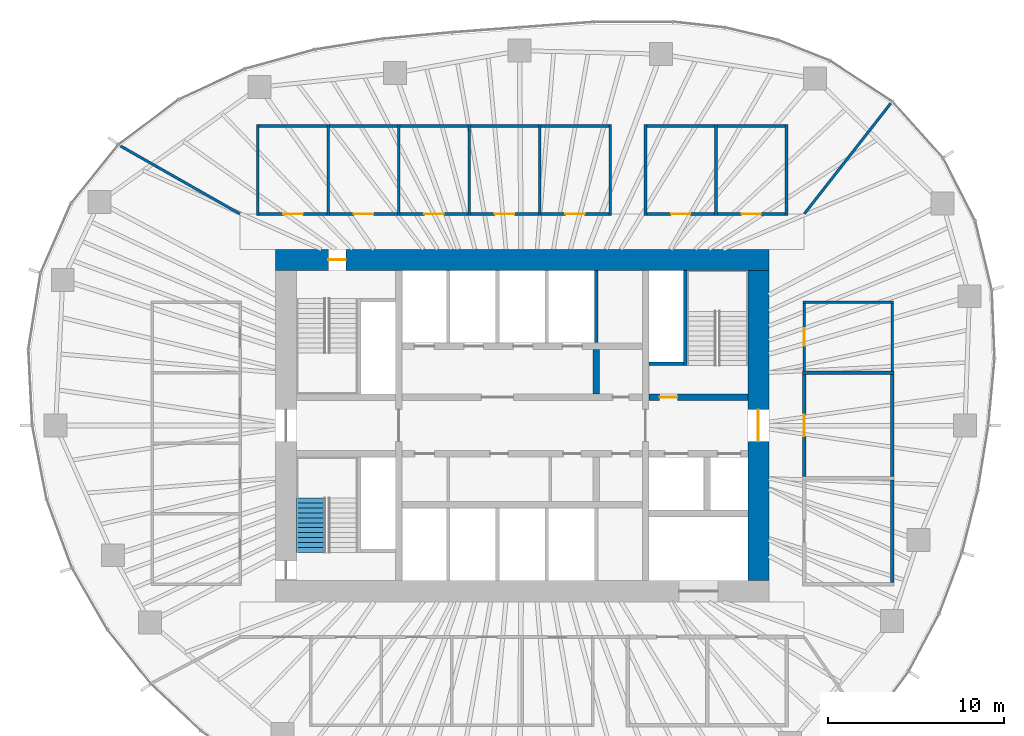
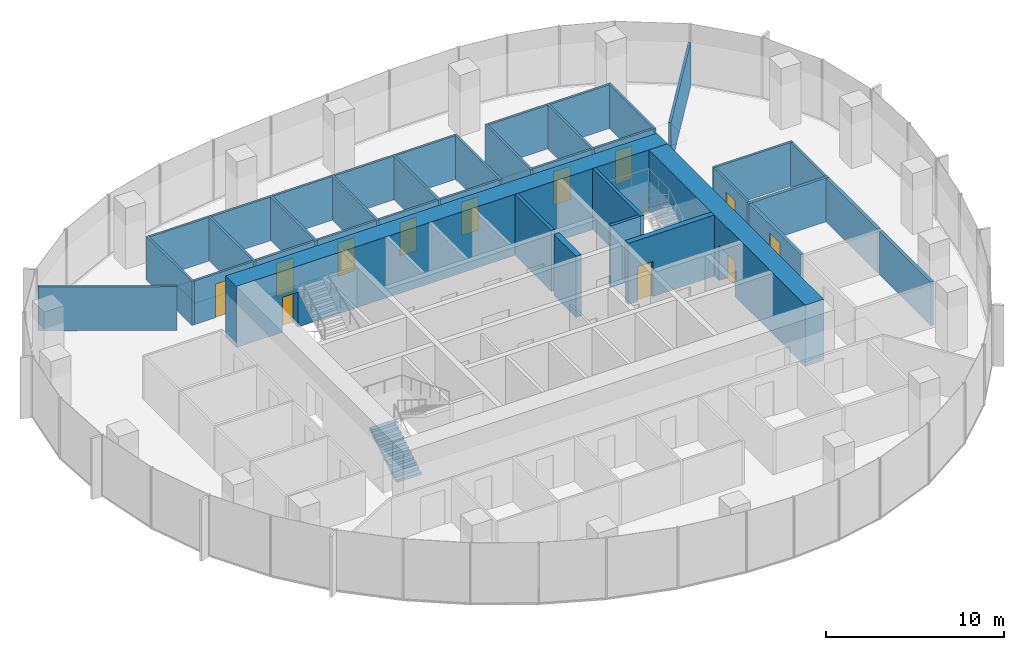
# One storey, part 10 of 12: 39 walls, 12 doors, 1 stair flight, 12 openings, 1 element without a shape of its own.
"""IFC4 building model written with IfcOpenShell, lengths in metres."""

from ifc_helpers import new_model, si_unit, direction, frame, frame_2d, origin, place, context, subcontext, project, spatial, polyline, rectangle, outline, extrude, material, layer, layer_set, type_object, element, fill, aggregate, save


model = new_model("IFC4")

# Units and contexts
model_context = context("Model", 3, precision=1e-05, world=origin(), true_north=direction((0.0, 1.0)))
body_context = subcontext(model_context, "Body", "Model", "MODEL_VIEW")
ifc_project = project(units=[si_unit("LENGTHUNIT", "METRE"), si_unit("AREAUNIT", "SQUARE_METRE"), si_unit("VOLUMEUNIT", "CUBIC_METRE"), si_unit("PLANEANGLEUNIT", "RADIAN"), si_unit("MASSUNIT", "GRAM", prefix="KILO")], contexts=[model_context])

# Site, building, storey
site_placement = place(None, origin())
site = spatial("IfcSite", under=ifc_project, at=site_placement, CompositionType="ELEMENT")
building_placement = place(site_placement, origin())
building = spatial("IfcBuilding", under=site, at=building_placement, Name="Ghaith Harvest Tower", CompositionType="ELEMENT")
storey_placement = place(building_placement, frame((0.0, 0.0, 203.199951171875)))
storey = spatial("IfcBuildingStorey", under=building, at=storey_placement, Name="L44", CompositionType="ELEMENT", Elevation=203.199951171875)

# Walls
ifc_material_1 = material(Name="Twin-stud gypsum board, acoustic", Category="gypsum")
ifc_layer_1 = layer(ifc_material_1, 0.199951171875)
ifc_layer_set_1 = layer_set([ifc_layer_1], Name="ACOUSTIC PARTITION 200")
wall_type_1 = type_object("IfcWallType", Name="ACOUSTIC PARTITION 200", PredefinedType="PARTITIONING", material=ifc_layer_set_1)
wall_1_placement = place(storey_placement, frame((15.89990234375, 3.0, 0.0), z_axis=(0.0, 0.0, 1.0), x_axis=(1.0, 0.0, 0.0)))
element("IfcWall", 1, at=wall_1_placement, inside=storey, type_object=wall_type_1, Name="Partition L44 row E3 cross wall 3", PredefinedType="PARTITIONING", context=body_context, shape_type="SweptSolid", body=[
    extrude(rectangle(XDim=5.2001953125, YDim=0.199951171875, at=frame_2d((2.60009765625, 0.0))), origin(), (0.0, 0.0, 1.0), 3.0),
])
wall_2_placement = place(storey_placement, frame((21.0, -8.89990234375, 0.0), z_axis=(0.0, 0.0, 1.0), x_axis=(0.0, 1.0, 0.0)))
element("IfcWall", 2, at=wall_2_placement, inside=storey, type_object=wall_type_1, Name="Partition L44-08", PredefinedType="PARTITIONING", context=body_context, shape_type="SweptSolid", body=[
    extrude(rectangle(XDim=5.7998046875, YDim=0.199951171875, at=frame_2d((2.89990234375, 0.0))), origin(), (0.0, 0.0, 1.0), 3.0),
])

# Wall, opening, door
wall_3_placement = place(storey_placement, frame((16.0, -2.89990234375, 0.0), z_axis=(0.0, 0.0, 1.0), x_axis=(0.0, 1.0, 0.0)))
wall_3 = element("IfcWall", 3, at=wall_3_placement, inside=storey, type_object=wall_type_1, Name="Partition L44-09", PredefinedType="PARTITIONING", context=body_context, shape_type="SweptSolid", body=[
    extrude(rectangle(XDim=5.7998046875, YDim=0.199951171875, at=frame_2d((2.89990234375, 0.0))), origin(), (0.0, 0.0, 1.0), 3.0),
])
opening_1_placement = place(wall_3_placement, frame((2.300048828125, 0.0, 0.0)))
opening_1 = element("IfcOpeningElement", 4, at=opening_1_placement, cuts=wall_3, Name="Opening 44-029", PredefinedType="OPENING", context=body_context, shape_type="SweptSolid", body=[
    extrude(rectangle(XDim=1.199951171875, YDim=2.39990234375, at=frame_2d((0.60009765625, 1.199951171875))), frame((0.0, 0.10986328125, 0.0), z_axis=(0.0, -1.0, 0.0), x_axis=(1.0, 0.0, 0.0)), (0.0, 0.0, 1.0), 0.219970703125),
])
ifc_material_2 = material(Name="Timber door", Category="wood")
door_type_1 = type_object("IfcDoorType", Name="D11 GLAZED 1200x2400", OperationType="SINGLE_SWING_LEFT", PredefinedType="DOOR", material=ifc_material_2)
door_1_placement = place(opening_1_placement, origin())
door_1 = element("IfcDoor", 5, at=door_1_placement, inside=storey, type_object=door_type_1, Name="Meeting room door", OperationType="SINGLE_SWING_LEFT", OverallHeight=2.39990234375, OverallWidth=1.199951171875, PredefinedType="DOOR", context=body_context, shape_type="SweptSolid", body=[
    extrude(rectangle(XDim=1.199951171875, YDim=2.39990234375, at=frame_2d((0.60009765625, 1.199951171875))), frame((0.0, 0.02490234375, 0.0), z_axis=(0.0, -1.0, 0.0), x_axis=(1.0, 0.0, 0.0)), (0.0, 0.0, 1.0), 0.050048828125),
])
fill(opening_1, door_1)

# Wall
wall_4_placement = place(storey_placement, frame((21.0, -2.89990234375, 0.0), z_axis=(0.0, 0.0, 1.0), x_axis=(0.0, 1.0, 0.0)))
element("IfcWall", 6, at=wall_4_placement, inside=storey, type_object=wall_type_1, Name="Partition L44-09", PredefinedType="PARTITIONING", context=body_context, shape_type="SweptSolid", body=[
    extrude(rectangle(XDim=5.7998046875, YDim=0.199951171875, at=frame_2d((2.89990234375, 0.0))), origin(), (0.0, 0.0, 1.0), 3.0),
])

# Wall, opening, door
ifc_material_3 = material(Name="Concrete C60/75", Category="concrete")
ifc_layer_2 = layer(ifc_material_3, 1.199951171875)
ifc_layer_set_2 = layer_set([ifc_layer_2], Name="CORE WALL CW1200 C60")
wall_type_2 = type_object("IfcWallType", Name="CORE WALL CW1200 C60", PredefinedType="SHEAR", material=ifc_layer_set_2)
wall_5_placement = place(storey_placement, frame((14.0, 9.39990234375, 0.0), z_axis=(0.0, 0.0, 1.0), x_axis=(-1.0, 0.0, 0.0)))
wall_5 = element("IfcWall", 7, at=wall_5_placement, inside=storey, type_object=wall_type_2, Name="Core wall N L44", PredefinedType="SHEAR", context=body_context, shape_type="SweptSolid", body=[
    extrude(rectangle(XDim=28.0, YDim=1.199951171875, at=frame_2d((14.0, 0.0))), origin(), (0.0, 0.0, 1.0), 4.199951171875),
])
opening_2_placement = place(wall_5_placement, frame((24.0, 0.0, 0.0)))
opening_2 = element("IfcOpeningElement", 8, at=opening_2_placement, cuts=wall_5, Name="Opening 44-005", PredefinedType="OPENING", context=body_context, shape_type="SweptSolid", body=[
    extrude(rectangle(XDim=1.0, YDim=2.39990234375, at=frame_2d((0.5, 1.199951171875))), frame((0.0, 0.60986328125, 0.0), z_axis=(0.0, -1.0, 0.0), x_axis=(1.0, 0.0, 0.0)), (0.0, 0.0, 1.0), 1.219970703125),
])
ifc_material_4 = material(Name="Steel fire door", Category="steel")
door_type_2 = type_object("IfcDoorType", Name="D3 FD90 1000x2400", OperationType="SINGLE_SWING_LEFT", PredefinedType="DOOR", material=ifc_material_4)
door_2_placement = place(opening_2_placement, origin())
door_2 = element("IfcDoor", 9, at=door_2_placement, inside=storey, type_object=door_type_2, Name="Stair ST1 door", OperationType="SINGLE_SWING_RIGHT", OverallHeight=2.39990234375, OverallWidth=1.0, PredefinedType="DOOR", context=body_context, shape_type="SweptSolid", body=[
    extrude(rectangle(XDim=1.0, YDim=2.39990234375, at=frame_2d((0.5, 1.199951171875))), frame((0.0, 0.02490234375, 0.0), z_axis=(0.0, -1.0, 0.0), x_axis=(1.0, 0.0, 0.0)), (0.0, 0.0, 1.0), 0.050048828125),
])
fill(opening_2, door_2)

wall_6_placement = place(storey_placement, frame((13.39990234375, -8.800048828125, 0.0), z_axis=(0.0, 0.0, 1.0), x_axis=(0.0, 1.0, 0.0)))
wall_6 = element("IfcWall", 10, at=wall_6_placement, inside=storey, type_object=wall_type_2, Name="Core wall E L44", PredefinedType="SHEAR", context=body_context, shape_type="SweptSolid", body=[
    extrude(rectangle(XDim=17.60009765625, YDim=1.199951171875, at=frame_2d((8.800048828125, 0.0))), origin(), (0.0, 0.0, 1.0), 4.199951171875),
])
opening_3_placement = place(wall_6_placement, frame((7.89990234375, 0.0, 0.0)))
opening_3 = element("IfcOpeningElement", 11, at=opening_3_placement, cuts=wall_6, Name="Opening 44-002", PredefinedType="OPENING", context=body_context, shape_type="SweptSolid", body=[
    extrude(rectangle(XDim=1.800048828125, YDim=2.39990234375, at=frame_2d((0.89990234375, 1.199951171875))), frame((0.0, 0.60986328125, 0.0), z_axis=(0.0, -1.0, 0.0), x_axis=(1.0, 0.0, 0.0)), (0.0, 0.0, 1.0), 1.219970703125),
])
ifc_material_5 = material(Name="Steel fire door", Category="steel")
door_type_3 = type_object("IfcDoorType", Name="D4 FD90 PAIR 1800x2400", OperationType="DOUBLE_DOOR_SINGLE_SWING", PredefinedType="DOOR", material=ifc_material_5)
door_3_placement = place(opening_3_placement, origin())
door_3 = element("IfcDoor", 12, at=door_3_placement, inside=storey, type_object=door_type_3, Name="Fire-fighting lobby doors", OperationType="DOUBLE_DOOR_SINGLE_SWING", OverallHeight=2.39990234375, OverallWidth=1.800048828125, PredefinedType="DOOR", context=body_context, shape_type="SweptSolid", body=[
    extrude(rectangle(XDim=1.800048828125, YDim=2.39990234375, at=frame_2d((0.89990234375, 1.199951171875))), frame((0.0, 0.02490234375, 0.0), z_axis=(0.0, -1.0, 0.0), x_axis=(1.0, 0.0, 0.0)), (0.0, 0.0, 1.0), 0.050048828125),
])
fill(opening_3, door_3)

# Walls
ifc_material_6 = material(Name="Concrete blockwork, 2-hour", Category="masonry")
ifc_layer_3 = layer(ifc_material_6, 0.199951171875)
ifc_layer_set_3 = layer_set([ifc_layer_3], Name="LIFT SHAFT WALL 200")
wall_type_3 = type_object("IfcWallType", Name="LIFT SHAFT WALL 200", PredefinedType="PARTITIONING", material=ifc_layer_set_3)
wall_7_placement = place(storey_placement, frame((4.199951171875, 4.699951171875, 0.0), z_axis=(0.0, 0.0, 1.0), x_axis=(0.0, 1.0, 0.0)))
element("IfcWall", 13, at=wall_7_placement, inside=storey, type_object=wall_type_3, Name="Lift shaft wall L44", PredefinedType="PARTITIONING", context=body_context, shape_type="SweptSolid", body=[
    extrude(rectangle(XDim=4.10009765625, YDim=0.199951171875, at=frame_2d((2.050048828125, 0.0))), origin(), (0.0, 0.0, 1.0), 4.199951171875),
])
ifc_material_7 = material(Name="Gypsum board on steel studs", Category="steel")
ifc_layer_4 = layer(ifc_material_7, 0.14990234375)
ifc_layer_set_4 = layer_set([ifc_layer_4], Name="PARTITION 150")
wall_type_4 = type_object("IfcWallType", Name="PARTITION 150", PredefinedType="PARTITIONING", material=ifc_layer_set_4)
for number, where, z_axis, x_axis, name in (
    (14, (-15.0, 11.925048828125, 0.0), (0.0, 0.0, 1.0), (0.0, 1.0, 0.0), "Partition L44 row N1 cross wall 1"),
    (15, (-11.0, 11.925048828125, 0.0), (0.0, 0.0, 1.0), (0.0, 1.0, 0.0), "Partition L44 row N1 cross wall 2"),
    (16, (-7.0, 11.925048828125, 0.0), (0.0, 0.0, 1.0), (0.0, 1.0, 0.0), "Partition L44 row N1 cross wall 3"),
    (17, (-3.0, 11.925048828125, 0.0), (0.0, 0.0, 1.0), (0.0, 1.0, 0.0), "Partition L44 row N1 cross wall 4"),
    (18, (1.0, 11.925048828125, 0.0), (0.0, 0.0, 1.0), (0.0, 1.0, 0.0), "Partition L44 row N1 cross wall 5"),
    (19, (5.0, 11.925048828125, 0.0), (0.0, 0.0, 1.0), (0.0, 1.0, 0.0), "Partition L44 row N1 cross wall 6"),
):
    element("IfcWall", number, at=place(storey_placement, frame(where, z_axis=z_axis, x_axis=x_axis)), inside=storey, type_object=wall_type_4, Name=name, PredefinedType="PARTITIONING", context=body_context, shape_type="SweptSolid", body=[
        extrude(rectangle(XDim=5.14990234375, YDim=0.14990234375, at=frame_2d((2.574951171875, 0.0))), origin(), (0.0, 0.0, 1.0), 3.0),
    ])

# Wall, opening, door
wall_8_placement = place(storey_placement, frame((-14.925048828125, 12.0, 0.0), z_axis=(0.0, 0.0, 1.0), x_axis=(1.0, 0.0, 0.0)))
wall_8 = element("IfcWall", 20, at=wall_8_placement, inside=storey, type_object=wall_type_4, Name="Partition L44-01", PredefinedType="PARTITIONING", context=body_context, shape_type="SweptSolid", body=[
    extrude(rectangle(XDim=3.85009765625, YDim=0.14990234375, at=frame_2d((1.925048828125, 0.0))), origin(), (0.0, 0.0, 1.0), 3.0),
])
opening_4_placement = place(wall_8_placement, frame((1.375, 0.0, 0.0)))
opening_4 = element("IfcOpeningElement", 21, at=opening_4_placement, cuts=wall_8, Name="Opening 44-021", PredefinedType="OPENING", context=body_context, shape_type="SweptSolid", body=[
    extrude(rectangle(XDim=1.10009765625, YDim=2.300048828125, at=frame_2d((0.550048828125, 1.14990234375))), frame((0.0, 0.0849609375, 0.0), z_axis=(0.0, -1.0, 0.0), x_axis=(1.0, 0.0, 0.0)), (0.0, 0.0, 1.0), 0.169921875),
])
ifc_material_8 = material(Name="Timber-framed glazed door", Category="wood")
door_type_4 = type_object("IfcDoorType", Name="D12 GLAZED OFFICE 1100x2300", OperationType="SINGLE_SWING_LEFT", PredefinedType="DOOR", material=ifc_material_8)
door_4_placement = place(opening_4_placement, origin())
door_4 = element("IfcDoor", 22, at=door_4_placement, inside=storey, type_object=door_type_4, Name="Office door", OperationType="SINGLE_SWING_LEFT", OverallHeight=2.300048828125, OverallWidth=1.10009765625, PredefinedType="DOOR", context=body_context, shape_type="SweptSolid", body=[
    extrude(rectangle(XDim=1.10009765625, YDim=2.300048828125, at=frame_2d((0.550048828125, 1.14990234375))), frame((0.0, 0.02490234375, 0.0), z_axis=(0.0, -1.0, 0.0), x_axis=(1.0, 0.0, 0.0)), (0.0, 0.0, 1.0), 0.050048828125),
])
fill(opening_4, door_4)

# Wall
wall_9_placement = place(storey_placement, frame((-14.925048828125, 17.0, 0.0), z_axis=(0.0, 0.0, 1.0), x_axis=(1.0, 0.0, 0.0)))
element("IfcWall", 23, at=wall_9_placement, inside=storey, type_object=wall_type_4, Name="Partition L44-01", PredefinedType="PARTITIONING", context=body_context, shape_type="SweptSolid", body=[
    extrude(rectangle(XDim=3.85009765625, YDim=0.14990234375, at=frame_2d((1.925048828125, 0.0))), origin(), (0.0, 0.0, 1.0), 3.0),
])

# Wall, opening, door
wall_10_placement = place(storey_placement, frame((-10.925048828125, 12.0, 0.0), z_axis=(0.0, 0.0, 1.0), x_axis=(1.0, 0.0, 0.0)))
wall_10 = element("IfcWall", 24, at=wall_10_placement, inside=storey, type_object=wall_type_4, Name="Partition L44-02", PredefinedType="PARTITIONING", context=body_context, shape_type="SweptSolid", body=[
    extrude(rectangle(XDim=3.85009765625, YDim=0.14990234375, at=frame_2d((1.925048828125, 0.0))), origin(), (0.0, 0.0, 1.0), 3.0),
])
opening_5_placement = place(wall_10_placement, frame((1.375, 0.0, 0.0)))
opening_5 = element("IfcOpeningElement", 25, at=opening_5_placement, cuts=wall_10, Name="Opening 44-022", PredefinedType="OPENING", context=body_context, shape_type="SweptSolid", body=[
    extrude(rectangle(XDim=1.10009765625, YDim=2.300048828125, at=frame_2d((0.550048828125, 1.14990234375))), frame((0.0, 0.0849609375, 0.0), z_axis=(0.0, -1.0, 0.0), x_axis=(1.0, 0.0, 0.0)), (0.0, 0.0, 1.0), 0.169921875),
])
door_5_placement = place(opening_5_placement, origin())
door_5 = element("IfcDoor", 26, at=door_5_placement, inside=storey, type_object=door_type_4, Name="Office door", OperationType="SINGLE_SWING_LEFT", OverallHeight=2.300048828125, OverallWidth=1.10009765625, PredefinedType="DOOR", context=body_context, shape_type="SweptSolid", body=[
    extrude(rectangle(XDim=1.10009765625, YDim=2.300048828125, at=frame_2d((0.550048828125, 1.14990234375))), frame((0.0, 0.02490234375, 0.0), z_axis=(0.0, -1.0, 0.0), x_axis=(1.0, 0.0, 0.0)), (0.0, 0.0, 1.0), 0.050048828125),
])
fill(opening_5, door_5)

# Wall
wall_11_placement = place(storey_placement, frame((-10.925048828125, 17.0, 0.0), z_axis=(0.0, 0.0, 1.0), x_axis=(1.0, 0.0, 0.0)))
element("IfcWall", 27, at=wall_11_placement, inside=storey, type_object=wall_type_4, Name="Partition L44-02", PredefinedType="PARTITIONING", context=body_context, shape_type="SweptSolid", body=[
    extrude(rectangle(XDim=3.85009765625, YDim=0.14990234375, at=frame_2d((1.925048828125, 0.0))), origin(), (0.0, 0.0, 1.0), 3.0),
])

# Wall, opening, door
wall_12_placement = place(storey_placement, frame((-6.925048828125, 12.0, 0.0), z_axis=(0.0, 0.0, 1.0), x_axis=(1.0, 0.0, 0.0)))
wall_12 = element("IfcWall", 28, at=wall_12_placement, inside=storey, type_object=wall_type_4, Name="Partition L44-03", PredefinedType="PARTITIONING", context=body_context, shape_type="SweptSolid", body=[
    extrude(rectangle(XDim=3.85009765625, YDim=0.14990234375, at=frame_2d((1.925048828125, 0.0))), origin(), (0.0, 0.0, 1.0), 3.0),
])
opening_6_placement = place(wall_12_placement, frame((1.375, 0.0, 0.0)))
opening_6 = element("IfcOpeningElement", 29, at=opening_6_placement, cuts=wall_12, Name="Opening 44-023", PredefinedType="OPENING", context=body_context, shape_type="SweptSolid", body=[
    extrude(rectangle(XDim=1.10009765625, YDim=2.300048828125, at=frame_2d((0.550048828125, 1.14990234375))), frame((0.0, 0.0849609375, 0.0), z_axis=(0.0, -1.0, 0.0), x_axis=(1.0, 0.0, 0.0)), (0.0, 0.0, 1.0), 0.169921875),
])
door_6_placement = place(opening_6_placement, origin())
door_6 = element("IfcDoor", 30, at=door_6_placement, inside=storey, type_object=door_type_4, Name="Office door", OperationType="SINGLE_SWING_LEFT", OverallHeight=2.300048828125, OverallWidth=1.10009765625, PredefinedType="DOOR", context=body_context, shape_type="SweptSolid", body=[
    extrude(rectangle(XDim=1.10009765625, YDim=2.300048828125, at=frame_2d((0.550048828125, 1.14990234375))), frame((0.0, 0.02490234375, 0.0), z_axis=(0.0, -1.0, 0.0), x_axis=(1.0, 0.0, 0.0)), (0.0, 0.0, 1.0), 0.050048828125),
])
fill(opening_6, door_6)

# Wall
wall_13_placement = place(storey_placement, frame((-6.925048828125, 17.0, 0.0), z_axis=(0.0, 0.0, 1.0), x_axis=(1.0, 0.0, 0.0)))
element("IfcWall", 31, at=wall_13_placement, inside=storey, type_object=wall_type_4, Name="Partition L44-03", PredefinedType="PARTITIONING", context=body_context, shape_type="SweptSolid", body=[
    extrude(rectangle(XDim=3.85009765625, YDim=0.14990234375, at=frame_2d((1.925048828125, 0.0))), origin(), (0.0, 0.0, 1.0), 3.0),
])

# Wall, opening, door
wall_14_placement = place(storey_placement, frame((-2.925048828125, 12.0, 0.0), z_axis=(0.0, 0.0, 1.0), x_axis=(1.0, 0.0, 0.0)))
wall_14 = element("IfcWall", 32, at=wall_14_placement, inside=storey, type_object=wall_type_4, Name="Partition L44-04", PredefinedType="PARTITIONING", context=body_context, shape_type="SweptSolid", body=[
    extrude(rectangle(XDim=3.85009765625, YDim=0.14990234375, at=frame_2d((1.925048828125, 0.0))), origin(), (0.0, 0.0, 1.0), 3.0),
])
opening_7_placement = place(wall_14_placement, frame((1.375, 0.0, 0.0)))
opening_7 = element("IfcOpeningElement", 33, at=opening_7_placement, cuts=wall_14, Name="Opening 44-024", PredefinedType="OPENING", context=body_context, shape_type="SweptSolid", body=[
    extrude(rectangle(XDim=1.10009765625, YDim=2.300048828125, at=frame_2d((0.550048828125, 1.14990234375))), frame((0.0, 0.0849609375, 0.0), z_axis=(0.0, -1.0, 0.0), x_axis=(1.0, 0.0, 0.0)), (0.0, 0.0, 1.0), 0.169921875),
])
door_7_placement = place(opening_7_placement, origin())
door_7 = element("IfcDoor", 34, at=door_7_placement, inside=storey, type_object=door_type_4, Name="Office door", OperationType="SINGLE_SWING_LEFT", OverallHeight=2.300048828125, OverallWidth=1.10009765625, PredefinedType="DOOR", context=body_context, shape_type="SweptSolid", body=[
    extrude(rectangle(XDim=1.10009765625, YDim=2.300048828125, at=frame_2d((0.550048828125, 1.14990234375))), frame((0.0, 0.02490234375, 0.0), z_axis=(0.0, -1.0, 0.0), x_axis=(1.0, 0.0, 0.0)), (0.0, 0.0, 1.0), 0.050048828125),
])
fill(opening_7, door_7)

# Wall
wall_15_placement = place(storey_placement, frame((-2.925048828125, 17.0, 0.0), z_axis=(0.0, 0.0, 1.0), x_axis=(1.0, 0.0, 0.0)))
element("IfcWall", 35, at=wall_15_placement, inside=storey, type_object=wall_type_4, Name="Partition L44-04", PredefinedType="PARTITIONING", context=body_context, shape_type="SweptSolid", body=[
    extrude(rectangle(XDim=3.85009765625, YDim=0.14990234375, at=frame_2d((1.925048828125, 0.0))), origin(), (0.0, 0.0, 1.0), 3.0),
])

# Wall, opening, door
wall_16_placement = place(storey_placement, frame((1.074951171875, 12.0, 0.0), z_axis=(0.0, 0.0, 1.0), x_axis=(1.0, 0.0, 0.0)))
wall_16 = element("IfcWall", 36, at=wall_16_placement, inside=storey, type_object=wall_type_4, Name="Partition L44-05", PredefinedType="PARTITIONING", context=body_context, shape_type="SweptSolid", body=[
    extrude(rectangle(XDim=3.85009765625, YDim=0.14990234375, at=frame_2d((1.925048828125, 0.0))), origin(), (0.0, 0.0, 1.0), 3.0),
])
opening_8_placement = place(wall_16_placement, frame((1.375, 0.0, 0.0)))
opening_8 = element("IfcOpeningElement", 37, at=opening_8_placement, cuts=wall_16, Name="Opening 44-025", PredefinedType="OPENING", context=body_context, shape_type="SweptSolid", body=[
    extrude(rectangle(XDim=1.10009765625, YDim=2.300048828125, at=frame_2d((0.550048828125, 1.14990234375))), frame((0.0, 0.0849609375, 0.0), z_axis=(0.0, -1.0, 0.0), x_axis=(1.0, 0.0, 0.0)), (0.0, 0.0, 1.0), 0.169921875),
])
door_8_placement = place(opening_8_placement, origin())
door_8 = element("IfcDoor", 38, at=door_8_placement, inside=storey, type_object=door_type_4, Name="Office door", OperationType="SINGLE_SWING_LEFT", OverallHeight=2.300048828125, OverallWidth=1.10009765625, PredefinedType="DOOR", context=body_context, shape_type="SweptSolid", body=[
    extrude(rectangle(XDim=1.10009765625, YDim=2.300048828125, at=frame_2d((0.550048828125, 1.14990234375))), frame((0.0, 0.02490234375, 0.0), z_axis=(0.0, -1.0, 0.0), x_axis=(1.0, 0.0, 0.0)), (0.0, 0.0, 1.0), 0.050048828125),
])
fill(opening_8, door_8)

# Walls
wall_17_placement = place(storey_placement, frame((1.074951171875, 17.0, 0.0), z_axis=(0.0, 0.0, 1.0), x_axis=(1.0, 0.0, 0.0)))
element("IfcWall", 39, at=wall_17_placement, inside=storey, type_object=wall_type_4, Name="Partition L44-05", PredefinedType="PARTITIONING", context=body_context, shape_type="SweptSolid", body=[
    extrude(rectangle(XDim=3.85009765625, YDim=0.14990234375, at=frame_2d((1.925048828125, 0.0))), origin(), (0.0, 0.0, 1.0), 3.0),
])
for number, where, z_axis, x_axis, name in (
    (40, (7.0, 11.925048828125, 0.0), (0.0, 0.0, 1.0), (0.0, 1.0, 0.0), "Partition L44 row N2 cross wall 1"),
    (41, (11.0, 11.925048828125, 0.0), (0.0, 0.0, 1.0), (0.0, 1.0, 0.0), "Partition L44 row N2 cross wall 2"),
    (42, (15.0, 11.925048828125, 0.0), (0.0, 0.0, 1.0), (0.0, 1.0, 0.0), "Partition L44 row N2 cross wall 3"),
):
    element("IfcWall", number, at=place(storey_placement, frame(where, z_axis=z_axis, x_axis=x_axis)), inside=storey, type_object=wall_type_4, Name=name, PredefinedType="PARTITIONING", context=body_context, shape_type="SweptSolid", body=[
        extrude(rectangle(XDim=5.14990234375, YDim=0.14990234375, at=frame_2d((2.574951171875, 0.0))), origin(), (0.0, 0.0, 1.0), 3.0),
    ])

# Wall, opening, door
wall_18_placement = place(storey_placement, frame((7.074951171875, 12.0, 0.0), z_axis=(0.0, 0.0, 1.0), x_axis=(1.0, 0.0, 0.0)))
wall_18 = element("IfcWall", 43, at=wall_18_placement, inside=storey, type_object=wall_type_4, Name="Partition L44-06", PredefinedType="PARTITIONING", context=body_context, shape_type="SweptSolid", body=[
    extrude(rectangle(XDim=3.85009765625, YDim=0.14990234375, at=frame_2d((1.925048828125, 0.0))), origin(), (0.0, 0.0, 1.0), 3.0),
])
opening_9_placement = place(wall_18_placement, frame((1.375, 0.0, 0.0)))
opening_9 = element("IfcOpeningElement", 44, at=opening_9_placement, cuts=wall_18, Name="Opening 44-026", PredefinedType="OPENING", context=body_context, shape_type="SweptSolid", body=[
    extrude(rectangle(XDim=1.10009765625, YDim=2.300048828125, at=frame_2d((0.550048828125, 1.14990234375))), frame((0.0, 0.0849609375, 0.0), z_axis=(0.0, -1.0, 0.0), x_axis=(1.0, 0.0, 0.0)), (0.0, 0.0, 1.0), 0.169921875),
])
door_9_placement = place(opening_9_placement, origin())
door_9 = element("IfcDoor", 45, at=door_9_placement, inside=storey, type_object=door_type_4, Name="Office door", OperationType="SINGLE_SWING_LEFT", OverallHeight=2.300048828125, OverallWidth=1.10009765625, PredefinedType="DOOR", context=body_context, shape_type="SweptSolid", body=[
    extrude(rectangle(XDim=1.10009765625, YDim=2.300048828125, at=frame_2d((0.550048828125, 1.14990234375))), frame((0.0, 0.02490234375, 0.0), z_axis=(0.0, -1.0, 0.0), x_axis=(1.0, 0.0, 0.0)), (0.0, 0.0, 1.0), 0.050048828125),
])
fill(opening_9, door_9)

# Wall
wall_19_placement = place(storey_placement, frame((7.074951171875, 17.0, 0.0), z_axis=(0.0, 0.0, 1.0), x_axis=(1.0, 0.0, 0.0)))
element("IfcWall", 46, at=wall_19_placement, inside=storey, type_object=wall_type_4, Name="Partition L44-06", PredefinedType="PARTITIONING", context=body_context, shape_type="SweptSolid", body=[
    extrude(rectangle(XDim=3.85009765625, YDim=0.14990234375, at=frame_2d((1.925048828125, 0.0))), origin(), (0.0, 0.0, 1.0), 3.0),
])

# Wall, opening, door
wall_20_placement = place(storey_placement, frame((11.074951171875, 12.0, 0.0), z_axis=(0.0, 0.0, 1.0), x_axis=(1.0, 0.0, 0.0)))
wall_20 = element("IfcWall", 47, at=wall_20_placement, inside=storey, type_object=wall_type_4, Name="Partition L44-07", PredefinedType="PARTITIONING", context=body_context, shape_type="SweptSolid", body=[
    extrude(rectangle(XDim=3.85009765625, YDim=0.14990234375, at=frame_2d((1.925048828125, 0.0))), origin(), (0.0, 0.0, 1.0), 3.0),
])
opening_10_placement = place(wall_20_placement, frame((1.375, 0.0, 0.0)))
opening_10 = element("IfcOpeningElement", 48, at=opening_10_placement, cuts=wall_20, Name="Opening 44-027", PredefinedType="OPENING", context=body_context, shape_type="SweptSolid", body=[
    extrude(rectangle(XDim=1.10009765625, YDim=2.300048828125, at=frame_2d((0.550048828125, 1.14990234375))), frame((0.0, 0.0849609375, 0.0), z_axis=(0.0, -1.0, 0.0), x_axis=(1.0, 0.0, 0.0)), (0.0, 0.0, 1.0), 0.169921875),
])
door_10_placement = place(opening_10_placement, origin())
door_10 = element("IfcDoor", 49, at=door_10_placement, inside=storey, type_object=door_type_4, Name="Office door", OperationType="SINGLE_SWING_LEFT", OverallHeight=2.300048828125, OverallWidth=1.10009765625, PredefinedType="DOOR", context=body_context, shape_type="SweptSolid", body=[
    extrude(rectangle(XDim=1.10009765625, YDim=2.300048828125, at=frame_2d((0.550048828125, 1.14990234375))), frame((0.0, 0.02490234375, 0.0), z_axis=(0.0, -1.0, 0.0), x_axis=(1.0, 0.0, 0.0)), (0.0, 0.0, 1.0), 0.050048828125),
])
fill(opening_10, door_10)

# Walls
wall_21_placement = place(storey_placement, frame((11.074951171875, 17.0, 0.0), z_axis=(0.0, 0.0, 1.0), x_axis=(1.0, 0.0, 0.0)))
element("IfcWall", 50, at=wall_21_placement, inside=storey, type_object=wall_type_4, Name="Partition L44-07", PredefinedType="PARTITIONING", context=body_context, shape_type="SweptSolid", body=[
    extrude(rectangle(XDim=3.85009765625, YDim=0.14990234375, at=frame_2d((1.925048828125, 0.0))), origin(), (0.0, 0.0, 1.0), 3.0),
])
wall_22_placement = place(storey_placement, frame((15.925048828125, 7.0, 0.0), z_axis=(0.0, 0.0, 1.0), x_axis=(1.0, 0.0, 0.0)))
element("IfcWall", 51, at=wall_22_placement, inside=storey, type_object=wall_type_4, Name="Partition L44 row E3 cross wall 4", PredefinedType="PARTITIONING", context=body_context, shape_type="SweptSolid", body=[
    extrude(rectangle(XDim=5.14990234375, YDim=0.14990234375, at=frame_2d((2.574951171875, 0.0))), origin(), (0.0, 0.0, 1.0), 3.0),
])

# Wall, opening, door
wall_23_placement = place(storey_placement, frame((16.0, 3.10009765625, 0.0), z_axis=(0.0, 0.0, 1.0), x_axis=(0.0, 1.0, 0.0)))
wall_23 = element("IfcWall", 52, at=wall_23_placement, inside=storey, type_object=wall_type_4, Name="Partition L44-10", PredefinedType="PARTITIONING", context=body_context, shape_type="SweptSolid", body=[
    extrude(rectangle(XDim=3.824951171875, YDim=0.14990234375, at=frame_2d((1.91259765625, 0.0))), origin(), (0.0, 0.0, 1.0), 3.0),
])
opening_11_placement = place(wall_23_placement, frame((1.41259765625, 0.0, 0.0)))
opening_11 = element("IfcOpeningElement", 53, at=opening_11_placement, cuts=wall_23, Name="Opening 44-030", PredefinedType="OPENING", context=body_context, shape_type="SweptSolid", body=[
    extrude(rectangle(XDim=1.0, YDim=2.199951171875, at=frame_2d((0.5, 1.10009765625))), frame((0.0, 0.0849609375, 0.0), z_axis=(0.0, -1.0, 0.0), x_axis=(1.0, 0.0, 0.0)), (0.0, 0.0, 1.0), 0.169921875),
])
ifc_material_9 = material(Name="Timber door", Category="wood")
door_type_5 = type_object("IfcDoorType", Name="D1 SINGLE 1000x2200", OperationType="SINGLE_SWING_LEFT", PredefinedType="DOOR", material=ifc_material_9)
door_11_placement = place(opening_11_placement, origin())
door_11 = element("IfcDoor", 54, at=door_11_placement, inside=storey, type_object=door_type_5, Name="Pantry door", OperationType="SINGLE_SWING_LEFT", OverallHeight=2.199951171875, OverallWidth=1.0, PredefinedType="DOOR", context=body_context, shape_type="SweptSolid", body=[
    extrude(rectangle(XDim=1.0, YDim=2.199951171875, at=frame_2d((0.5, 1.10009765625))), frame((0.0, 0.02490234375, 0.0), z_axis=(0.0, -1.0, 0.0), x_axis=(1.0, 0.0, 0.0)), (0.0, 0.0, 1.0), 0.050048828125),
])
fill(opening_11, door_11)

# Walls
wall_24_placement = place(storey_placement, frame((21.0, 3.10009765625, 0.0), z_axis=(0.0, 0.0, 1.0), x_axis=(0.0, 1.0, 0.0)))
element("IfcWall", 55, at=wall_24_placement, inside=storey, type_object=wall_type_4, Name="Partition L44-10", PredefinedType="PARTITIONING", context=body_context, shape_type="SweptSolid", body=[
    extrude(rectangle(XDim=3.824951171875, YDim=0.14990234375, at=frame_2d((1.91259765625, 0.0))), origin(), (0.0, 0.0, 1.0), 3.0),
])
wall_25_placement = place(storey_placement, frame((-16.017333984375, 12.010009765625, 0.0), z_axis=(0.0, 0.0, 1.0), x_axis=(-0.869357432803, 0.494183826151, 0.0)))
element("IfcWall", 56, at=wall_25_placement, inside=storey, type_object=wall_type_4, Name="Partition L44 zone division", PredefinedType="PARTITIONING", context=body_context, shape_type="SweptSolid", body=[
    extrude(rectangle(XDim=7.791259765625, YDim=0.14990234375, at=frame_2d((3.8955078125, 0.0))), origin(), (0.0, 0.0, 1.0), 3.0),
])
wall_26_placement = place(storey_placement, frame((16.01220703125, 12.015625, 0.0), z_axis=(0.0, 0.0, 1.0), x_axis=(0.616030058222, 0.787722646219, 0.0)))
element("IfcWall", 57, at=wall_26_placement, inside=storey, type_object=wall_type_4, Name="Partition L44 zone division", PredefinedType="PARTITIONING", context=body_context, shape_type="SweptSolid", body=[
    extrude(rectangle(XDim=7.95166015625, YDim=0.14990234375, at=frame_2d((3.975830078125, 0.0))), origin(), (0.0, 0.0, 1.0), 3.0),
])

# Wall, opening, door
ifc_material_10 = material(Name="Concrete C60/75", Category="concrete")
ifc_layer_5 = layer(ifc_material_10, 0.35009765625)
ifc_layer_set_5 = layer_set([ifc_layer_5], Name="SHAFT WALL 350")
wall_type_5 = type_object("IfcWallType", Name="SHAFT WALL 350", PredefinedType="SHEAR", material=ifc_layer_set_5)
wall_27_placement = place(storey_placement, frame((7.199951171875, 1.60009765625, 0.0), z_axis=(0.0, 0.0, 1.0), x_axis=(1.0, 0.0, 0.0)))
wall_27 = element("IfcWall", 58, at=wall_27_placement, inside=storey, type_object=wall_type_5, Name="Shaft wall EN L44", PredefinedType="SHEAR", context=body_context, shape_type="SweptSolid", body=[
    extrude(rectangle(XDim=5.60009765625, YDim=0.35009765625, at=frame_2d((2.800048828125, 0.0))), origin(), (0.0, 0.0, 1.0), 4.199951171875),
])
opening_12_placement = place(wall_27_placement, frame((0.60009765625, 0.0, 0.0)))
opening_12 = element("IfcOpeningElement", 59, at=opening_12_placement, cuts=wall_27, Name="Opening 44-007", PredefinedType="OPENING", context=body_context, shape_type="SweptSolid", body=[
    extrude(rectangle(XDim=1.0, YDim=2.39990234375, at=frame_2d((0.5, 1.199951171875))), frame((0.0, 0.18505859375, 0.0), z_axis=(0.0, -1.0, 0.0), x_axis=(1.0, 0.0, 0.0)), (0.0, 0.0, 1.0), 0.3701171875),
])
door_12_placement = place(opening_12_placement, origin())
door_12 = element("IfcDoor", 60, at=door_12_placement, inside=storey, type_object=door_type_2, Name="Stair ST2 door", OperationType="SINGLE_SWING_LEFT", OverallHeight=2.39990234375, OverallWidth=1.0, PredefinedType="DOOR", context=body_context, shape_type="SweptSolid", body=[
    extrude(rectangle(XDim=1.0, YDim=2.39990234375, at=frame_2d((0.5, 1.199951171875))), frame((0.0, 0.02490234375, 0.0), z_axis=(0.0, -1.0, 0.0), x_axis=(1.0, 0.0, 0.0)), (0.0, 0.0, 1.0), 0.050048828125),
])
fill(opening_12, door_12)

# Walls
wall_28_placement = place(storey_placement, frame((4.199951171875, 1.800048828125, 0.0), z_axis=(0.0, 0.0, 1.0), x_axis=(0.0, 1.0, 0.0)))
element("IfcWall", 61, at=wall_28_placement, inside=storey, type_object=wall_type_5, Name="Shaft wall DN4 L44", PredefinedType="SHEAR", context=body_context, shape_type="SweptSolid", body=[
    extrude(rectangle(XDim=2.5, YDim=0.35009765625, at=frame_2d((1.25, 0.0))), origin(), (0.0, 0.0, 1.0), 4.199951171875),
])
ifc_material_11 = material(Name="Concrete C40/50", Category="concrete")
ifc_layer_6 = layer(ifc_material_11, 0.199951171875)
ifc_layer_set_6 = layer_set([ifc_layer_6], Name="STAIR SPINE WALL RC200")
wall_type_6 = type_object("IfcWallType", Name="STAIR SPINE WALL RC200", PredefinedType="SOLIDWALL", material=ifc_layer_set_6)
wall_29_placement = place(storey_placement, frame((9.25, 3.39990234375, 0.0), z_axis=(0.0, 0.0, 1.0), x_axis=(0.0, 1.0, 0.0)))
element("IfcWall", 62, at=wall_29_placement, inside=storey, type_object=wall_type_6, Name="Stair ST2 spine wall L44", PredefinedType="SOLIDWALL", context=body_context, shape_type="SweptSolid", body=[
    extrude(rectangle(XDim=5.400146484375, YDim=0.199951171875, at=frame_2d((2.7001953125, 0.0))), origin(), (0.0, 0.0, 1.0), 4.199951171875),
])
wall_30_placement = place(storey_placement, frame((9.14990234375, 3.5, 0.0), z_axis=(0.0, 0.0, 1.0), x_axis=(-1.0, 0.0, 0.0)))
element("IfcWall", 63, at=wall_30_placement, inside=storey, type_object=wall_type_6, Name="Stair ST2 spine wall return L44", PredefinedType="SOLIDWALL", context=body_context, shape_type="SweptSolid", body=[
    extrude(rectangle(XDim=1.949951171875, YDim=0.199951171875, at=frame_2d((0.97509765625, 0.0))), origin(), (0.0, 0.0, 1.0), 4.199951171875),
])

# Stair, stair flight
ifc_material_12 = material(Name="Concrete C40/50, precast", Category="concrete")
stair_type = type_object("IfcStairType", Name="CORE STAIR 24R", PredefinedType="HALF_TURN_STAIR", material=ifc_material_12)
stair_placement = place(storey_placement, origin())
stair = element("IfcStair", 64, at=stair_placement, inside=storey, type_object=stair_type, Name="Stair ST3 L44", PredefinedType="HALF_TURN_STAIR")
ifc_material_13 = material(Name="Concrete C40/50, precast", Category="concrete")
stair_flight_type = type_object("IfcStairFlightType", Name="CORE FLIGHT 12R 1600", PredefinedType="STRAIGHT", material=ifc_material_13)
stair_flight_placement = place(storey_placement, frame((-12.0, -7.199951171875, 0.0), z_axis=(0.0, 0.0, 1.0), x_axis=(0.0, 1.0, 0.0)))
stair_flight = element("IfcStairFlight", 65, at=stair_flight_placement, type_object=stair_flight_type, Name="ST3 flight 1", NumberOfRisers=12, NumberOfTreads=11, PredefinedType="STRAIGHT", RiserHeight=0.175, TreadLength=0.28, context=body_context, shape_type="SweptSolid", body=[
    extrude(outline(polyline([(0.0, 0.0), (0.0, 0.175048828125), (0.280029296875, 0.175048828125), (0.280029296875, 0.35009765625), (0.56005859375, 0.35009765625), (0.56005859375, 0.52490234375), (0.840087890625, 0.52490234375), (0.840087890625, 0.699951171875), (1.1201171875, 0.699951171875), (1.1201171875, 0.875), (1.39990234375, 0.875), (1.39990234375, 1.050048828125), (1.679931640625, 1.050048828125), (1.679931640625, 1.22509765625), (1.9599609375, 1.22509765625), (1.9599609375, 1.39990234375), (2.239990234375, 1.39990234375), (2.239990234375, 1.574951171875), (2.52001953125, 1.574951171875), (2.52001953125, 1.75), (2.800048828125, 1.75), (2.800048828125, 1.925048828125), (3.080078125, 1.925048828125), (3.080078125, 2.10009765625), (3.080078125, 1.748291015625), (0.28271484375, 0.0), (0.0, 0.0)])), frame((0.0, 0.800048828125, 0.0), z_axis=(0.0, -1.0, 0.0), x_axis=(1.0, 0.0, 0.0)), (0.0, 0.0, 1.0), 1.60009765625),
])
aggregate(stair, [stair_flight])

save(model, "model.ifc")
